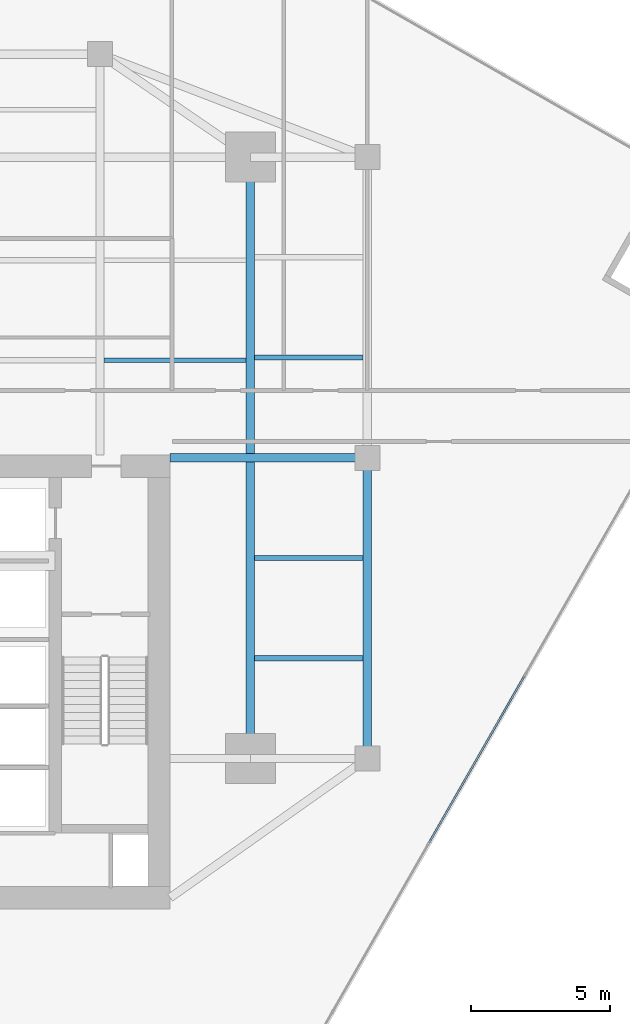
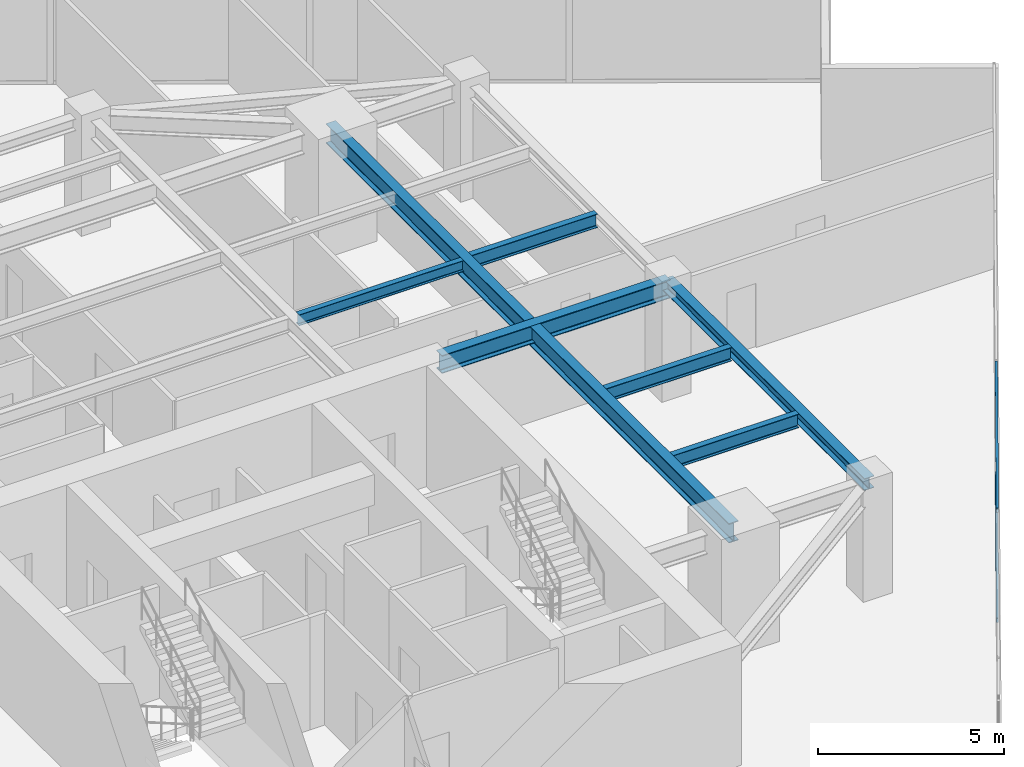
# One storey, part 10 of 24: 7 beams, 2 members, 1 element without a shape of its own.
"""IFC4 building model written with IfcOpenShell, lengths in metres."""

from ifc_helpers import new_model, si_unit, direction, frame, origin, origin_2d, place, context, subcontext, project, spatial, hollow_rectangle, i_section, extrude, source, transform, mapped, material, material_profile, profile_set, type_object, type_shapes, element, aggregate, save


model = new_model("IFC4")

# Units and contexts
model_context = context("Model", 3, precision=1e-05, world=origin(), true_north=direction((0.0, 1.0)))
body_context = subcontext(model_context, "Body", "Model", "MODEL_VIEW")
ifc_project = project(units=[si_unit("LENGTHUNIT", "METRE"), si_unit("AREAUNIT", "SQUARE_METRE"), si_unit("VOLUMEUNIT", "CUBIC_METRE"), si_unit("PLANEANGLEUNIT", "RADIAN"), si_unit("MASSUNIT", "GRAM", prefix="KILO")], contexts=[model_context])

# Site, building, storey
site_placement = place(None, origin())
site = spatial("IfcSite", under=ifc_project, at=site_placement, CompositionType="ELEMENT")
building_placement = place(site_placement, origin())
building = spatial("IfcBuilding", under=site, at=building_placement, Name="Krantzveldt Concourse Tower", CompositionType="ELEMENT")
storey_placement = place(building_placement, frame((0.0, 0.0, 165.949951171875)))
storey = spatial("IfcBuildingStorey", under=building, at=storey_placement, Name="L40", CompositionType="ELEMENT", Elevation=165.949951171875)

# Beams
ifc_material_1 = material(Name="Steel S355JR", Category="steel")
ifc_material_profile_1 = material_profile(ifc_material_1, i_section(OverallWidth=0.300048828125, OverallDepth=0.639892578125, WebThickness=0.013427734375, FlangeThickness=0.02587890625, FilletRadius=0.027099609375, at=origin_2d()), Name="Steel S355JR", Category="steel")
ifc_profile_set_1 = profile_set([ifc_material_profile_1], Name="Steel S355JR - HEA 650")
beam_type_1 = type_object("IfcBeamType", Name="BM-B-HEA650", PredefinedType="BEAM", material=ifc_profile_set_1)
shared_shape_1 = source(origin(), body_context, "Body", "SweptSolid", [
    extrude(i_section(OverallWidth=0.300048828125, OverallDepth=0.639892578125, WebThickness=0.013427734375, FlangeThickness=0.02587890625, FilletRadius=0.027099609375, at=origin_2d()), origin(), (0.0, 0.0, 1.0), 21.60009765625),
])
type_shapes(beam_type_1, [shared_shape_1])
beam_1_placement = place(storey_placement, frame((46.800048828125, 15.89990234375, 3.35009765625), z_axis=(0.0, 1.0, 0.0), x_axis=(-1.0, 0.0, 0.0)))
element("IfcBeam", 1, at=beam_1_placement, inside=storey, type_object=beam_type_1, Name="L40 Tower Girder BG-ME", PredefinedType="BEAM", context=body_context, shape_type="MappedRepresentation", body=[
    mapped(shared_shape_1, transform((0.0, 0.0, 0.0), x_axis=(1.0, 0.0, 0.0), y_axis=(0.0, 1.0, 0.0), z_axis=(0.0, 0.0, 1.0), scale=1.0)),
])
ifc_material_profile_2 = material_profile(ifc_material_1, i_section(OverallWidth=0.300048828125, OverallDepth=0.590087890625, WebThickness=0.012939453125, FlangeThickness=0.02490234375, FilletRadius=0.027099609375, at=origin_2d()), Name="Steel S355JR", Category="steel")
ifc_profile_set_2 = profile_set([ifc_material_profile_2], Name="Steel S355JR - HEA 600")
beam_type_2 = type_object("IfcBeamType", Name="BM-B-HEA600", PredefinedType="BEAM", material=ifc_profile_set_2)
shared_shape_2 = source(origin(), body_context, "Body", "SweptSolid", [
    extrude(i_section(OverallWidth=0.300048828125, OverallDepth=0.590087890625, WebThickness=0.012939453125, FlangeThickness=0.02490234375, FilletRadius=0.027099609375, at=origin_2d()), origin(), (0.0, 0.0, 1.0), 7.080078125),
])
type_shapes(beam_type_2, [shared_shape_2])
beam_2_placement = place(storey_placement, frame((43.919921875, 26.699951171875, 3.375), z_axis=(1.0, 0.0, 0.0), x_axis=(0.0, 1.0, 0.0)))
element("IfcBeam", 2, at=beam_2_placement, inside=storey, type_object=beam_type_2, Name="L40 Tower Girder BG-CE2", PredefinedType="BEAM", context=body_context, shape_type="MappedRepresentation", body=[
    mapped(shared_shape_2, transform((0.0, 0.0, 0.0), x_axis=(1.0, 0.0, 0.0), y_axis=(0.0, 1.0, 0.0), z_axis=(0.0, 0.0, 1.0), scale=1.0)),
])
ifc_material_profile_3 = material_profile(ifc_material_1, i_section(OverallWidth=0.300048828125, OverallDepth=0.389892578125, WebThickness=0.010986328125, FlangeThickness=0.01904296875, FilletRadius=0.027099609375, at=origin_2d()), Name="Steel S355JR", Category="steel")
ifc_profile_set_3 = profile_set([ifc_material_profile_3], Name="Steel S355JR - HEA 400")
beam_type_3 = type_object("IfcBeamType", Name="BM-SP-HEA400", PredefinedType="SPANDREL", material=ifc_profile_set_3)
shared_shape_3 = source(origin(), body_context, "Body", "SweptSolid", [
    extrude(i_section(OverallWidth=0.300048828125, OverallDepth=0.389892578125, WebThickness=0.010986328125, FlangeThickness=0.01904296875, FilletRadius=0.027099609375, at=origin_2d()), origin(), (0.0, 0.0, 1.0), 10.800048828125),
])
type_shapes(beam_type_3, [shared_shape_3])
beam_3_placement = place(storey_placement, frame((51.0, 26.699951171875, 3.47509765625), z_axis=(0.0, -1.0, 0.0), x_axis=(1.0, 0.0, 0.0)))
element("IfcBeam", 3, at=beam_3_placement, inside=storey, type_object=beam_type_3, Name="L40 Tower Girder SP-R07", PredefinedType="SPANDREL", context=body_context, shape_type="MappedRepresentation", body=[
    mapped(shared_shape_3, transform((0.0, 0.0, 0.0), x_axis=(1.0, 0.0, 0.0), y_axis=(0.0, 1.0, 0.0), z_axis=(0.0, 0.0, 1.0), scale=1.0)),
])
ifc_material_profile_4 = material_profile(ifc_material_1, i_section(OverallWidth=0.169921875, OverallDepth=0.360107421875, WebThickness=0.008056640625, FlangeThickness=0.0126953125, FilletRadius=0.01806640625, at=origin_2d()), Name="Steel S355JR", Category="steel")
ifc_profile_set_4 = profile_set([ifc_material_profile_4], Name="Steel S355JR - IPE 360")
beam_type_4 = type_object("IfcBeamType", Name="BM-J-IPE360", PredefinedType="JOIST", material=ifc_profile_set_4)
shared_shape_4 = source(origin(), body_context, "Body", "SweptSolid", [
    extrude(i_section(OverallWidth=0.169921875, OverallDepth=0.360107421875, WebThickness=0.008056640625, FlangeThickness=0.0126953125, FilletRadius=0.01806640625, at=origin_2d()), origin(), (0.0, 0.0, 1.0), 5.099853515625),
])
type_shapes(beam_type_4, [shared_shape_4])
beam_4_placement = place(storey_placement, frame((41.550048828125, 30.199951171875, 3.489990234375), z_axis=(1.0, 0.0, 0.0), x_axis=(0.0, 1.0, 0.0)))
element("IfcBeam", 4, at=beam_4_placement, inside=storey, type_object=beam_type_4, Name="L40 Secondary Floor Joist JN-E1", PredefinedType="JOIST", context=body_context, shape_type="MappedRepresentation", body=[
    mapped(shared_shape_4, transform((0.0, 0.0, 0.0), x_axis=(1.0, 0.0, 0.0), y_axis=(0.0, 1.0, 0.0), z_axis=(0.0, 0.0, 1.0), scale=1.0)),
])
ifc_material_profile_5 = material_profile(ifc_material_1, i_section(OverallWidth=0.18994140625, OverallDepth=0.449951171875, WebThickness=0.009521484375, FlangeThickness=0.0146484375, FilletRadius=0.02099609375, at=origin_2d()), Name="Steel S355JR", Category="steel")
ifc_profile_set_5 = profile_set([ifc_material_profile_5], Name="Steel S355JR - IPE 450")
beam_type_5 = type_object("IfcBeamType", Name="BM-J-IPE450", PredefinedType="JOIST", material=ifc_profile_set_5)
shared_shape_5 = source(origin(), body_context, "Body", "SweptSolid", [
    extrude(i_section(OverallWidth=0.18994140625, OverallDepth=0.449951171875, WebThickness=0.009521484375, FlangeThickness=0.0146484375, FilletRadius=0.02099609375, at=origin_2d()), origin(), (0.0, 0.0, 1.0), 3.900146484375),
])
type_shapes(beam_type_5, [shared_shape_5])
for number, where, z_axis, x_axis, name in (
    (5, (46.949951171875, 19.5, 3.445068359375), (1.0, 0.0, 0.0), (0.0, 1.0, 0.0), "L40 Secondary Floor Joist JE-1"),
    (6, (46.949951171875, 23.10009765625, 3.445068359375), (1.0, 0.0, 0.0), (0.0, 1.0, 0.0), "L40 Secondary Floor Joist JE-2"),
    (7, (46.949951171875, 30.300048828125, 3.445068359375), (1.0, 0.0, 0.0), (0.0, 1.0, 0.0), "L40 Secondary Floor Joist JE-3"),
):
    element("IfcBeam", number, at=place(storey_placement, frame(where, z_axis=z_axis, x_axis=x_axis)), inside=storey, type_object=beam_type_5, Name=name, PredefinedType="JOIST", context=body_context, shape_type="MappedRepresentation", body=[
        mapped(shared_shape_5, transform((0.0, 0.0, 0.0), x_axis=(1.0, 0.0, 0.0), y_axis=(0.0, 1.0, 0.0), z_axis=(0.0, 0.0, 1.0), scale=1.0)),
    ])

# Curtain wall, members
ifc_material_2 = material(Name="Anodised aluminium 6063-T6", Category="aluminium")
curtain_wall_type = type_object("IfcCurtainWallType", Name="CW3", PredefinedType="USERDEFINED", material=ifc_material_2)
curtain_wall_placement = place(storey_placement, origin())
curtain_wall = element("IfcCurtainWall", 8, at=curtain_wall_placement, inside=storey, type_object=curtain_wall_type, Name="CW-L40-F11", ObjectType="UNITISED CURTAIN WALL", PredefinedType="USERDEFINED")
ifc_material_profile_6 = material_profile(ifc_material_2, hollow_rectangle(XDim=0.070068359375, YDim=0.139892578125, WallThickness=0.0048828125, at=origin_2d()), Name="Anodised aluminium 6063-T6", Category="aluminium")
ifc_profile_set_6 = profile_set([ifc_material_profile_6], Name="Anodised aluminium 6063-T6 - ALU-TRAN 140x70x5")
member_type = type_object("IfcMemberType", Name="CW-TRN-150", PredefinedType="USERDEFINED", material=ifc_profile_set_6)
shared_shape_6 = source(origin(), body_context, "Body", "SweptSolid", [
    extrude(hollow_rectangle(XDim=0.070068359375, YDim=0.139892578125, WallThickness=0.0048828125, at=origin_2d()), origin(), (0.0, 0.0, 1.0), 6.89013671875),
])
type_shapes(member_type, [shared_shape_6])
member_1_placement = place(storey_placement, frame((53.225830078125, 12.886474609375, 0.03515625), z_axis=(0.496215255443, 0.868199527911, 0.0), x_axis=(-0.868199527911, 0.496215255443, 0.0)))
member_1 = element("IfcMember", 9, at=member_1_placement, type_object=member_type, Name="CW-Z34 transom 3.1", ObjectType="TRANSOM", PredefinedType="USERDEFINED", context=body_context, shape_type="MappedRepresentation", body=[
    mapped(shared_shape_6, transform((0.0, 0.0, 0.0), x_axis=(1.0, 0.0, 0.0), y_axis=(0.0, 1.0, 0.0), z_axis=(0.0, 0.0, 1.0), scale=1.0)),
])
member_2_placement = place(storey_placement, frame((53.225830078125, 12.886474609375, 3.635009765625), z_axis=(0.496215255443, 0.868199527911, 0.0), x_axis=(-0.868199527911, 0.496215255443, 0.0)))
member_2 = element("IfcMember", 10, at=member_2_placement, type_object=member_type, Name="CW-Z34 transom 3.2", ObjectType="TRANSOM", PredefinedType="USERDEFINED", context=body_context, shape_type="MappedRepresentation", body=[
    mapped(shared_shape_6, transform((0.0, 0.0, 0.0), x_axis=(1.0, 0.0, 0.0), y_axis=(0.0, 1.0, 0.0), z_axis=(0.0, 0.0, 1.0), scale=1.0)),
])
aggregate(curtain_wall, [member_1, member_2])

save(model, "model.ifc")
